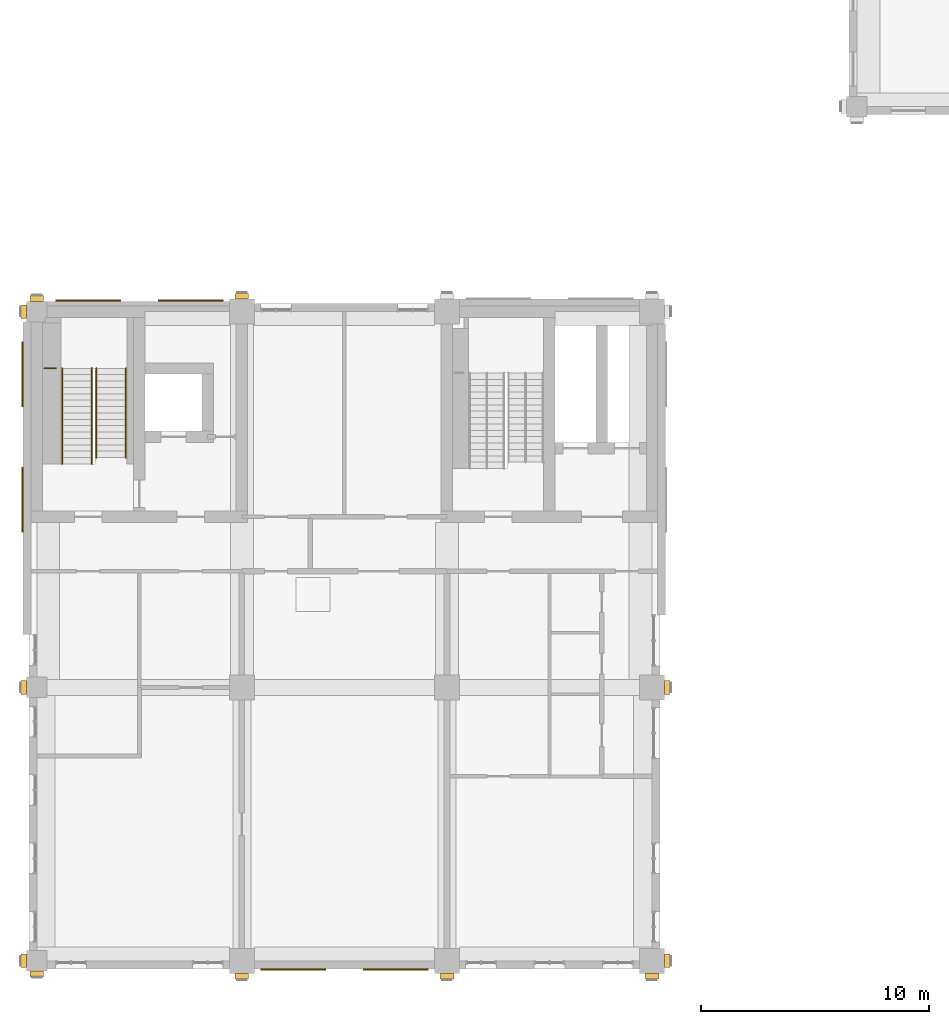
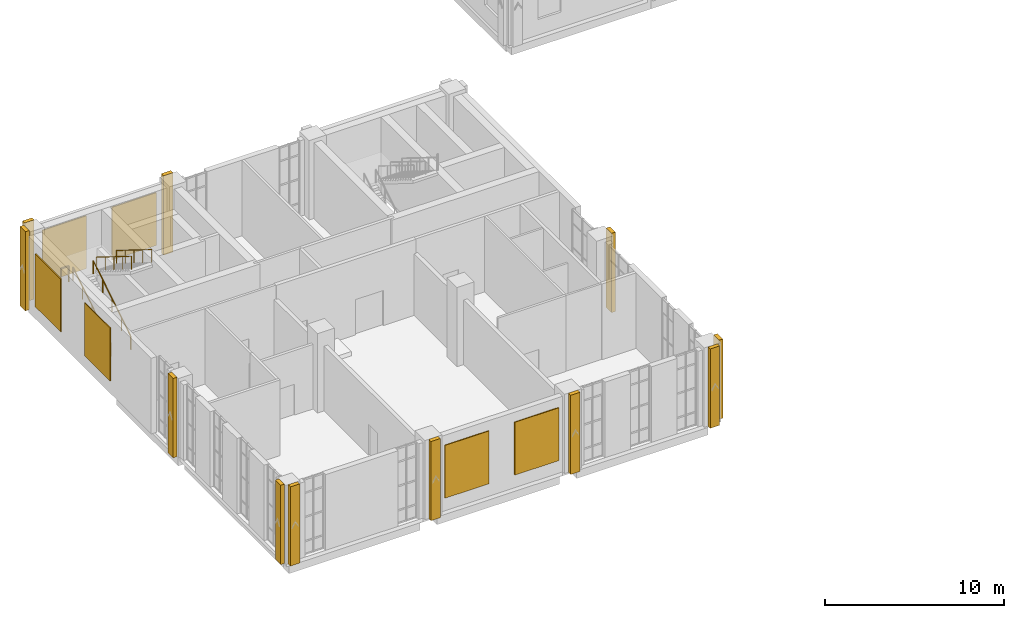
# One storey, part 32 of 39: 17 coverings, 5 railings.
"""IFC4 building model written with IfcOpenShell, lengths in metres."""

from ifc_helpers import new_model, si_unit, direction, frame, origin, origin_2d, place, context, subcontext, project, spatial, rectangle, circle, extrude, material, layer, layer_set, type_object, element, save


model = new_model("IFC4")

# Units and contexts
model_context = context("Model", 3, precision=1e-05, world=origin(), true_north=direction((0.0, 1.0)))
body_context = subcontext(model_context, "Body", "Model", "MODEL_VIEW")
ifc_project = project(units=[si_unit("LENGTHUNIT", "METRE"), si_unit("AREAUNIT", "SQUARE_METRE"), si_unit("VOLUMEUNIT", "CUBIC_METRE"), si_unit("PLANEANGLEUNIT", "RADIAN"), si_unit("MASSUNIT", "GRAM", prefix="KILO")], contexts=[model_context])

# Site, building, storey
site_placement = place(None, origin())
site = spatial("IfcSite", under=ifc_project, at=site_placement, CompositionType="ELEMENT")
building_placement = place(site_placement, origin())
building = spatial("IfcBuilding", under=site, at=building_placement, Name="Aurelan Courthouse", CompositionType="ELEMENT")
storey_placement = place(building_placement, frame((0.0, 0.0, 28.199951171875)))
storey = spatial("IfcBuildingStorey", under=building, at=storey_placement, Name="L05", CompositionType="ELEMENT", Elevation=28.199951171875)

# Coverings
ifc_material_1 = material(Name="Bronze sheet cladding")
ifc_layer = layer(ifc_material_1, 0.06005859375)
ifc_layer_set = layer_set([ifc_layer], Name="Bronze sheet cladding")
covering_type_1 = type_object("IfcCoveringType", Name="Courts' Floors blind bay 2850 x 3600", PredefinedType="CLADDING", material=ifc_layer_set)
for number, where, z_axis, x_axis, name in (
    (1, (11.25, -0.3798828125, 0.89990234375), (0.0, 0.0, 1.0), (1.0, 0.0, 0.0), "Blind bay BB-V5-L05-001"),
    (2, (15.75, -0.3798828125, 0.89990234375), (0.0, 0.0, 1.0), (1.0, 0.0, 0.0), "Blind bay BB-V5-L05-002"),
    (3, (2.25, 28.97998046875, 0.89990234375), (0.0, 0.0, 1.0), (1.0, 0.0, 0.0), "Blind bay BB-V5-L05-003"),
    (4, (6.75, 28.97998046875, 0.89990234375), (0.0, 0.0, 1.0), (1.0, 0.0, 0.0), "Blind bay BB-V5-L05-004"),
):
    element("IfcCovering", number, at=place(storey_placement, frame(where, z_axis=z_axis, x_axis=x_axis)), inside=storey, type_object=covering_type_1, Name=name, PredefinedType="CLADDING", context=body_context, shape_type="SweptSolid", body=[
        extrude(rectangle(XDim=2.85009765625, YDim=0.06005859375, at=origin_2d()), origin(), (0.0, 0.0, 1.0), 3.60009765625),
    ])
for number, where, z_axis, x_axis, name in (
    (5, (-0.6298828125, 20.25, 0.89990234375), (0.0, 0.0, 1.0), (1.0, 0.0, 0.0), "Blind bay BB-V5-L05-009"),
    (6, (-0.6298828125, 25.75, 0.89990234375), (0.0, 0.0, 1.0), (1.0, 0.0, 0.0), "Blind bay BB-V5-L05-010"),
):
    element("IfcCovering", number, at=place(storey_placement, frame(where, z_axis=z_axis, x_axis=x_axis)), inside=storey, type_object=covering_type_1, Name=name, PredefinedType="CLADDING", context=body_context, shape_type="SweptSolid", body=[
        extrude(rectangle(XDim=0.06005859375, YDim=2.85009765625, at=origin_2d()), origin(), (0.0, 0.0, 1.0), 3.60009765625),
    ])
ifc_material_2 = material(Name="Limestone cladding", Category="masonry")
covering_type_2 = type_object("IfcCoveringType", Name="Courts' Floors pilaster fin 600 x 250", PredefinedType="CLADDING", material=ifc_material_2)
for number, where, z_axis, x_axis, name in (
    (7, (0.0, -0.574951171875, 0.0), (0.0, 0.0, 1.0), (1.0, 0.0, 0.0), "Pilaster fin FN-V5-043"),
    (8, (9.0, -0.675048828125, 0.0), (0.0, 0.0, 1.0), (1.0, 0.0, 0.0), "Pilaster fin FN-V5-044"),
    (9, (18.0, -0.675048828125, 0.0), (0.0, 0.0, 1.0), (1.0, 0.0, 0.0), "Pilaster fin FN-V5-045"),
    (10, (27.0, -0.675048828125, 0.0), (0.0, 0.0, 1.0), (1.0, 0.0, 0.0), "Pilaster fin FN-V5-046"),
    (11, (0.0, 29.074951171875, 0.0), (0.0, 0.0, 1.0), (1.0, 0.0, 0.0), "Pilaster fin FN-V5-047"),
    (12, (9.0, 29.175048828125, 0.0), (0.0, 0.0, 1.0), (1.0, 0.0, 0.0), "Pilaster fin FN-V5-048"),
):
    element("IfcCovering", number, at=place(storey_placement, frame(where, z_axis=z_axis, x_axis=x_axis)), inside=storey, type_object=covering_type_2, Name=name, PredefinedType="CLADDING", context=body_context, shape_type="SweptSolid", body=[
        extrude(rectangle(XDim=0.60009765625, YDim=0.25, at=origin_2d()), origin(), (0.0, 0.0, 1.0), 5.39990234375),
    ])
for number, where, z_axis, x_axis, name in (
    (13, (27.675048828125, 0.0, 0.0), (0.0, 0.0, 1.0), (1.0, 0.0, 0.0), "Pilaster fin FN-V5-051"),
    (14, (27.675048828125, 12.0, 0.0), (0.0, 0.0, 1.0), (1.0, 0.0, 0.0), "Pilaster fin FN-V5-052"),
    (15, (-0.574951171875, 0.0, 0.0), (0.0, 0.0, 1.0), (1.0, 0.0, 0.0), "Pilaster fin FN-V5-054"),
    (16, (-0.574951171875, 12.0, 0.0), (0.0, 0.0, 1.0), (1.0, 0.0, 0.0), "Pilaster fin FN-V5-055"),
    (17, (-0.574951171875, 28.5, 0.0), (0.0, 0.0, 1.0), (1.0, 0.0, 0.0), "Pilaster fin FN-V5-056"),
):
    element("IfcCovering", number, at=place(storey_placement, frame(where, z_axis=z_axis, x_axis=x_axis)), inside=storey, type_object=covering_type_2, Name=name, PredefinedType="CLADDING", context=body_context, shape_type="SweptSolid", body=[
        extrude(rectangle(XDim=0.25, YDim=0.60009765625, at=origin_2d()), origin(), (0.0, 0.0, 1.0), 5.39990234375),
    ])

# Railings
ifc_material_3 = material(Name="Steel S355", Category="steel")
railing_type_1 = type_object("IfcRailingType", Name="Stair guard 1100", PredefinedType="GUARDRAIL", material=ifc_material_3)
railing_placement = place(storey_placement, frame((0.830078125, 26.010009765625, 2.787109375)))
element("IfcRailing", 18, at=railing_placement, inside=storey, type_object=railing_type_1, Name="Guard ST-5B-L05-GL1", PredefinedType="GUARDRAIL", context=body_context, shape_type="SweptSolid", body=[
    extrude(circle(Radius=0.02392578125, at=origin_2d()), frame((0.0, 0.0, 1.076171875), z_axis=(-1.0, 0.0, 0.0), x_axis=(0.0, -1.0, 0.0)), (0.0, 0.0, 1.0), 0.5),
    extrude(circle(Radius=0.02099609375, at=origin_2d()), origin(), (0.0, 0.0, 1.0), 1.052001953125),
    extrude(circle(Radius=0.02099609375, at=origin_2d()), frame((-0.5, 0.0, 0.0)), (0.0, 0.0, 1.0), 1.052001953125),
])
railing_type_2 = type_object("IfcRailingType", Name="Stair handrail 900", PredefinedType="HANDRAIL", material=ifc_material_3)
for number, where, name in (
    (19, (1.110107421875, 21.81005859375, 0.17431640625), "Handrail ST-5B-L05-H1"),
    (20, (2.409912109375, 21.81005859375, 0.17431640625), "Handrail ST-5B-L05-H2"),
):
    element("IfcRailing", number, at=place(storey_placement, frame(where)), inside=storey, type_object=railing_type_2, Name=name, PredefinedType="HANDRAIL", context=body_context, shape_type="SweptSolid", body=[
        extrude(circle(Radius=0.02392578125, at=origin_2d()), frame((0.0, 0.0, 0.8759765625), z_axis=(0.0, 0.849102848233, 0.528227558088), x_axis=(-1.0, 0.0, 0.0)), (0.0, 0.0, 1.0), 4.9462890625),
        extrude(circle(Radius=0.02099609375, at=origin_2d()), origin(), (0.0, 0.0, 1.0), 0.851806640625),
        extrude(circle(Radius=0.02099609375, at=origin_2d()), frame((0.0, 1.050048828125, 0.6533203125)), (0.0, 0.0, 1.0), 0.851806640625),
        extrude(circle(Radius=0.02099609375, at=origin_2d()), frame((0.0, 2.10009765625, 1.306396484375)), (0.0, 0.0, 1.0), 0.851806640625),
        extrude(circle(Radius=0.02099609375, at=origin_2d()), frame((0.0, 3.14990234375, 1.95947265625)), (0.0, 0.0, 1.0), 0.851806640625),
        extrude(circle(Radius=0.02099609375, at=origin_2d()), frame((0.0, 4.199951171875, 2.61279296875)), (0.0, 0.0, 1.0), 0.851806640625),
    ])
for number, where, name in (
    (21, (2.610107421875, 26.010009765625, 2.96142578125), "Handrail ST-5B-L05-H3"),
    (22, (3.909912109375, 26.010009765625, 2.96142578125), "Handrail ST-5B-L05-H4"),
):
    element("IfcRailing", number, at=place(storey_placement, frame(where)), inside=storey, type_object=railing_type_2, Name=name, PredefinedType="HANDRAIL", context=body_context, shape_type="SweptSolid", body=[
        extrude(circle(Radius=0.02392578125, at=origin_2d()), frame((0.0, 0.0, 0.8759765625), z_axis=(0.0, -0.849089811655, 0.528248513243), x_axis=(1.0, 0.0, 0.0)), (0.0, 0.0, 1.0), 4.61669921875),
        extrude(circle(Radius=0.02099609375, at=origin_2d()), origin(), (0.0, 0.0, 1.0), 0.851806640625),
        extrude(circle(Radius=0.02099609375, at=origin_2d()), frame((0.0, -0.97998046875, 0.609619140625)), (0.0, 0.0, 1.0), 0.851806640625),
        extrude(circle(Radius=0.02099609375, at=origin_2d()), frame((0.0, -1.9599609375, 1.21923828125)), (0.0, 0.0, 1.0), 0.851806640625),
        extrude(circle(Radius=0.02099609375, at=origin_2d()), frame((0.0, -2.93994140625, 1.8291015625)), (0.0, 0.0, 1.0), 0.851806640625),
        extrude(circle(Radius=0.02099609375, at=origin_2d()), frame((0.0, -3.919921875, 2.438720703125)), (0.0, 0.0, 1.0), 0.851806640625),
    ])

save(model, "model.ifc")
